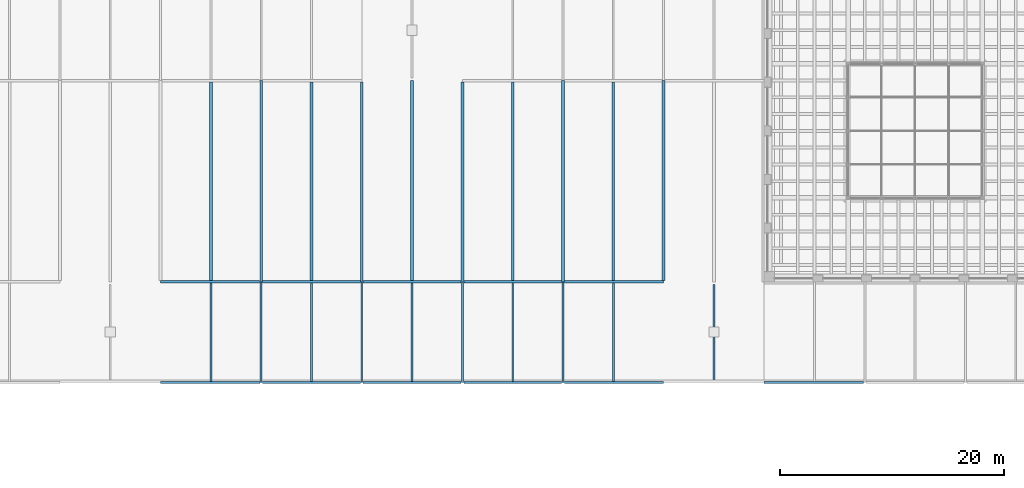
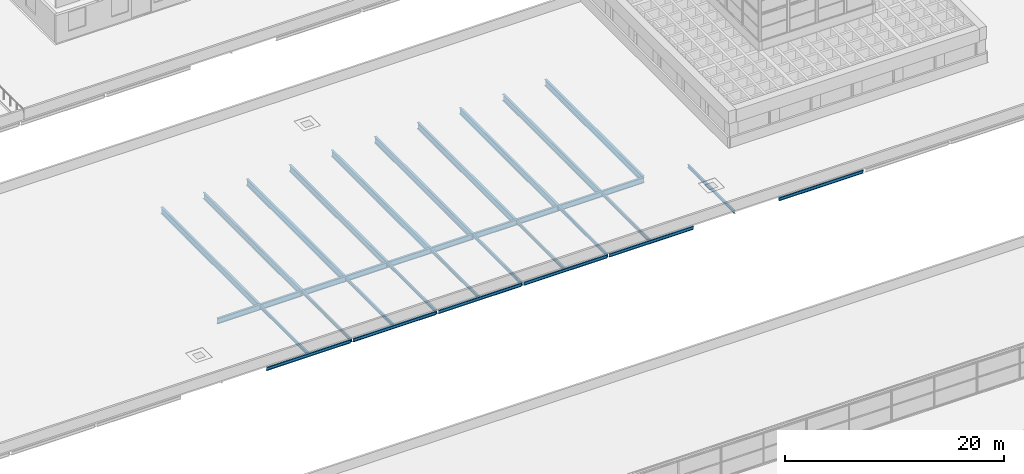
# One storey, part 11 of 50: 31 beams.
"""IFC4 building model written with IfcOpenShell, lengths in metres."""

from ifc_helpers import new_model, si_unit, direction, frame, origin, origin_2d, place, context, subcontext, project, spatial, i_section, extrude, material, material_profile, profile_set, type_object, element, save


model = new_model("IFC4")

# Units and contexts
model_context = context("Model", 3, precision=1e-05, world=origin(), true_north=direction((0.0, 1.0)))
body_context = subcontext(model_context, "Body", "Model", "MODEL_VIEW")
ifc_project = project(units=[si_unit("LENGTHUNIT", "METRE"), si_unit("AREAUNIT", "SQUARE_METRE"), si_unit("VOLUMEUNIT", "CUBIC_METRE"), si_unit("PLANEANGLEUNIT", "RADIAN"), si_unit("MASSUNIT", "GRAM", prefix="KILO")], contexts=[model_context])

# Site, building, storey
site_placement = place(None, origin())
site = spatial("IfcSite", under=ifc_project, at=site_placement, CompositionType="ELEMENT")
building_placement = place(site_placement, origin())
building = spatial("IfcBuilding", under=site, at=building_placement, Name="Corbel Yard City Hall", CompositionType="ELEMENT")
storey_placement = place(building_placement, frame((0.0, 0.0, 15.0)))
storey = spatial("IfcBuildingStorey", under=building, at=storey_placement, Name="L03", CompositionType="ELEMENT", Elevation=15.0)

# Beams
ifc_material_1 = material(Name="Steel Grade 300 (300 MPa yield)", Category="steel")
ifc_material_profile_1 = material_profile(ifc_material_1, i_section(OverallWidth=0.1708984375, OverallDepth=0.35205078125, WebThickness=0.0068359375, FlangeThickness=0.009765625, at=origin_2d()), Name="360UB44.7")
ifc_profile_set_1 = profile_set([ifc_material_profile_1], Name="Steel Grade 300 (300 MPa yield)")
beam_type_1 = type_object("IfcBeamType", Name="Beam 360UB44.7", PredefinedType="BEAM", material=ifc_profile_set_1)
for number, where, z_axis, x_axis, name in (
    (1, (72.0, 45.00439453125, -0.325927734375), (0.0, 1.0, 0.0), (-1.0, 0.0, 0.0), "Beam 360UB44.7 SB13 L03roof"),
    (2, (81.0, 45.00439453125, -0.325927734375), (0.0, 1.0, 0.0), (-1.0, 0.0, 0.0), "Beam 360UB44.7 SB13 L03roof"),
    (3, (90.0, 45.00439453125, -0.325927734375), (0.0, 1.0, 0.0), (-1.0, 0.0, 0.0), "Beam 360UB44.7 SB13 L03roof"),
    (4, (99.0, 45.00439453125, -0.325927734375), (0.0, 1.0, 0.0), (-1.0, 0.0, 0.0), "Beam 360UB44.7 SB13 L03roof"),
):
    element("IfcBeam", number, at=place(storey_placement, frame(where, z_axis=z_axis, x_axis=x_axis)), inside=storey, type_object=beam_type_1, Name=name, PredefinedType="BEAM", context=body_context, shape_type="SweptSolid", body=[
        extrude(i_section(OverallWidth=0.1708984375, OverallDepth=0.35205078125, WebThickness=0.0068359375, FlangeThickness=0.009765625, at=origin_2d()), origin(), (0.0, 0.0, 1.0), 8.990234375),
    ])
ifc_material_profile_2 = material_profile(ifc_material_1, i_section(OverallWidth=0.172119140625, OverallDepth=0.35888671875, WebThickness=0.008056640625, FlangeThickness=0.012939453125, at=origin_2d()), Name="360UB56.7")
ifc_profile_set_2 = profile_set([ifc_material_profile_2], Name="Steel Grade 300 (300 MPa yield)")
beam_type_2 = type_object("IfcBeamType", Name="Edge beam 360UB56.7", PredefinedType="BEAM", material=ifc_profile_set_2)
beam_1_placement = place(storey_placement, frame((63.0, 45.0, -0.32958984375), z_axis=(1.0, 0.0, 0.0), x_axis=(0.0, 1.0, 0.0)))
element("IfcBeam", 5, at=beam_1_placement, inside=storey, type_object=beam_type_2, Name="Edge beam 360UB56.7 EB4 L03roof", PredefinedType="BEAM", context=body_context, shape_type="SweptSolid", body=[
    extrude(i_section(OverallWidth=0.172119140625, OverallDepth=0.35888671875, WebThickness=0.008056640625, FlangeThickness=0.012939453125, at=origin_2d()), origin(), (0.0, 0.0, 1.0), 8.873046875),
])
for number, where, z_axis, x_axis, name in (
    (6, (72.126953125, 45.0, -0.32958984375), (1.0, 0.0, 0.0), (0.0, 1.0, 0.0), "Edge beam 360UB56.7 EB4 L03roof"),
    (7, (81.126953125, 45.0, -0.32958984375), (1.0, 0.0, 0.0), (0.0, 1.0, 0.0), "Edge beam 360UB56.7 EB4 L03roof"),
    (8, (90.126953125, 45.0, -0.32958984375), (1.0, 0.0, 0.0), (0.0, 1.0, 0.0), "Edge beam 360UB56.7 EB4 L03roof"),
):
    element("IfcBeam", number, at=place(storey_placement, frame(where, z_axis=z_axis, x_axis=x_axis)), inside=storey, type_object=beam_type_2, Name=name, PredefinedType="BEAM", context=body_context, shape_type="SweptSolid", body=[
        extrude(i_section(OverallWidth=0.172119140625, OverallDepth=0.35888671875, WebThickness=0.008056640625, FlangeThickness=0.012939453125, at=origin_2d()), origin(), (0.0, 0.0, 1.0), 8.74609375),
    ])
for number, where, z_axis, x_axis, name in (
    (9, (99.126953125, 45.0, -0.32958984375), (1.0, 0.0, 0.0), (0.0, 1.0, 0.0), "Edge beam 360UB56.7 EB4 L03roof"),
    (10, (117.0, 45.0, -0.32958984375), (1.0, 0.0, 0.0), (0.0, 1.0, 0.0), "Edge beam 360UB56.7 EB4 L03roof"),
):
    element("IfcBeam", number, at=place(storey_placement, frame(where, z_axis=z_axis, x_axis=x_axis)), inside=storey, type_object=beam_type_2, Name=name, PredefinedType="BEAM", context=body_context, shape_type="SweptSolid", body=[
        extrude(i_section(OverallWidth=0.172119140625, OverallDepth=0.35888671875, WebThickness=0.008056640625, FlangeThickness=0.012939453125, at=origin_2d()), origin(), (0.0, 0.0, 1.0), 8.873046875),
    ])
ifc_material_profile_3 = material_profile(ifc_material_1, i_section(OverallWidth=0.22900390625, OverallDepth=0.612060546875, WebThickness=0.011962890625, FlangeThickness=0.01953125, at=origin_2d()), Name="610UB125")
ifc_profile_set_3 = profile_set([ifc_material_profile_3], Name="Steel Grade 300 (300 MPa yield)")
beam_type_3 = type_object("IfcBeamType", Name="Girder 610UB125", PredefinedType="BEAM", material=ifc_profile_set_3)
beam_2_placement = place(storey_placement, frame((63.0, 54.0, -0.4560546875), z_axis=(1.0, 0.0, 0.0), x_axis=(0.0, 1.0, 0.0)))
element("IfcBeam", 11, at=beam_2_placement, inside=storey, type_object=beam_type_3, Name="Girder 610UB125 GB1 L03roof", PredefinedType="BEAM", context=body_context, shape_type="SweptSolid", body=[
    extrude(i_section(OverallWidth=0.22900390625, OverallDepth=0.612060546875, WebThickness=0.011962890625, FlangeThickness=0.01953125, at=origin_2d()), origin(), (0.0, 0.0, 1.0), 8.8701171875),
])
for number, where, z_axis, x_axis, name in (
    (12, (72.1298828125, 54.0, -0.4560546875), (1.0, 0.0, 0.0), (0.0, 1.0, 0.0), "Girder 610UB125 GB1 L03roof"),
    (13, (81.1298828125, 54.0, -0.4560546875), (1.0, 0.0, 0.0), (0.0, 1.0, 0.0), "Girder 610UB125 GB1 L03roof"),
    (14, (90.1298828125, 54.0, -0.4560546875), (1.0, 0.0, 0.0), (0.0, 1.0, 0.0), "Girder 610UB125 GB1 L03roof"),
):
    element("IfcBeam", number, at=place(storey_placement, frame(where, z_axis=z_axis, x_axis=x_axis)), inside=storey, type_object=beam_type_3, Name=name, PredefinedType="BEAM", context=body_context, shape_type="SweptSolid", body=[
        extrude(i_section(OverallWidth=0.22900390625, OverallDepth=0.612060546875, WebThickness=0.011962890625, FlangeThickness=0.01953125, at=origin_2d()), origin(), (0.0, 0.0, 1.0), 8.740234375),
    ])
beam_3_placement = place(storey_placement, frame((99.1298828125, 54.0, -0.4560546875), z_axis=(1.0, 0.0, 0.0), x_axis=(0.0, 1.0, 0.0)))
element("IfcBeam", 15, at=beam_3_placement, inside=storey, type_object=beam_type_3, Name="Girder 610UB125 GB1 L03roof", PredefinedType="BEAM", context=body_context, shape_type="SweptSolid", body=[
    extrude(i_section(OverallWidth=0.22900390625, OverallDepth=0.612060546875, WebThickness=0.011962890625, FlangeThickness=0.01953125, at=origin_2d()), origin(), (0.0, 0.0, 1.0), 8.8701171875),
])
ifc_material_2 = material(Name="Steel Grade 350", Category="steel")
ifc_material_profile_4 = material_profile(ifc_material_2, i_section(OverallWidth=0.25, OverallDepth=0.699951171875, WebThickness=0.010009765625, FlangeThickness=0.02001953125, at=origin_2d()), Name="700WB130")
ifc_profile_set_4 = profile_set([ifc_material_profile_4], Name="Steel Grade 350")
beam_type_4 = type_object("IfcBeamType", Name="Long-span beam 700WB130", PredefinedType="BEAM", material=ifc_profile_set_4)
beam_4_placement = place(storey_placement, frame((72.0, 54.00537109375, -0.5), z_axis=(0.0, 1.0, 0.0), x_axis=(-1.0, 0.0, 0.0)))
element("IfcBeam", 16, at=beam_4_placement, inside=storey, type_object=beam_type_4, Name="Long-span beam 700WB130 SB18 L03roof", PredefinedType="BEAM", context=body_context, shape_type="SweptSolid", body=[
    extrude(i_section(OverallWidth=0.25, OverallDepth=0.699951171875, WebThickness=0.010009765625, FlangeThickness=0.02001953125, at=origin_2d()), origin(), (0.0, 0.0, 1.0), 17.9892578125),
])
for number, where, z_axis, x_axis, name in (
    (17, (81.0, 54.00537109375, -0.5), (0.0, 1.0, 0.0), (-1.0, 0.0, 0.0), "Long-span beam 700WB130 SB18 L03roof"),
    (18, (90.0, 54.00537109375, -0.5), (0.0, 1.0, 0.0), (-1.0, 0.0, 0.0), "Long-span beam 700WB130 SB18 L03roof"),
):
    element("IfcBeam", number, at=place(storey_placement, frame(where, z_axis=z_axis, x_axis=x_axis)), inside=storey, type_object=beam_type_4, Name=name, PredefinedType="BEAM", context=body_context, shape_type="SweptSolid", body=[
        extrude(i_section(OverallWidth=0.25, OverallDepth=0.699951171875, WebThickness=0.010009765625, FlangeThickness=0.02001953125, at=origin_2d()), origin(), (0.0, 0.0, 1.0), 17.880126953125),
    ])
beam_5_placement = place(storey_placement, frame((99.0, 54.00537109375, -0.5), z_axis=(0.0, 1.0, 0.0), x_axis=(-1.0, 0.0, 0.0)))
element("IfcBeam", 19, at=beam_5_placement, inside=storey, type_object=beam_type_4, Name="Long-span beam 700WB130 SB18 L03roof", PredefinedType="BEAM", context=body_context, shape_type="SweptSolid", body=[
    extrude(i_section(OverallWidth=0.25, OverallDepth=0.699951171875, WebThickness=0.010009765625, FlangeThickness=0.02001953125, at=origin_2d()), origin(), (0.0, 0.0, 1.0), 17.9892578125),
])
beam_6_placement = place(storey_placement, frame((108.0, 54.114501953125, -0.5), z_axis=(0.0, 1.0, 0.0), x_axis=(-1.0, 0.0, 0.0)))
element("IfcBeam", 20, at=beam_6_placement, inside=storey, type_object=beam_type_4, Name="Long-span beam 700WB130 SB18 L03roof", PredefinedType="BEAM", context=body_context, shape_type="SweptSolid", body=[
    extrude(i_section(OverallWidth=0.25, OverallDepth=0.699951171875, WebThickness=0.010009765625, FlangeThickness=0.02001953125, at=origin_2d()), origin(), (0.0, 0.0, 1.0), 17.880126953125),
])
ifc_material_profile_5 = material_profile(ifc_material_2, i_section(OverallWidth=0.25, OverallDepth=0.699951171875, WebThickness=0.010009765625, FlangeThickness=0.02001953125, at=origin_2d()), Name="700WB130")
ifc_profile_set_5 = profile_set([ifc_material_profile_5], Name="Steel Grade 350")
beam_type_5 = type_object("IfcBeamType", Name="Long-span secondary beam 700WB130", PredefinedType="JOIST", material=ifc_profile_set_5)
for number, where, z_axis, x_axis, name in (
    (21, (67.5, 54.114501953125, -0.5), (0.0, 1.0, 0.0), (-1.0, 0.0, 0.0), "Long-span secondary beam 700WB130 SB16 L03roof"),
    (22, (76.5, 54.114501953125, -0.5), (0.0, 1.0, 0.0), (-1.0, 0.0, 0.0), "Long-span secondary beam 700WB130 SB16 L03roof"),
):
    element("IfcBeam", number, at=place(storey_placement, frame(where, z_axis=z_axis, x_axis=x_axis)), inside=storey, type_object=beam_type_5, Name=name, PredefinedType="JOIST", context=body_context, shape_type="SweptSolid", body=[
        extrude(i_section(OverallWidth=0.25, OverallDepth=0.699951171875, WebThickness=0.010009765625, FlangeThickness=0.02001953125, at=origin_2d()), origin(), (0.0, 0.0, 1.0), 17.77099609375),
    ])
beam_7_placement = place(storey_placement, frame((85.5, 54.114501953125, -0.5), z_axis=(0.0, 1.0, 0.0), x_axis=(-1.0, 0.0, 0.0)))
element("IfcBeam", 23, at=beam_7_placement, inside=storey, type_object=beam_type_5, Name="Long-span secondary beam 700WB130 SB16 L03roof", PredefinedType="JOIST", context=body_context, shape_type="SweptSolid", body=[
    extrude(i_section(OverallWidth=0.25, OverallDepth=0.699951171875, WebThickness=0.010009765625, FlangeThickness=0.02001953125, at=origin_2d()), origin(), (0.0, 0.0, 1.0), 17.885498046875),
])
for number, where, z_axis, x_axis, name in (
    (24, (94.5, 54.114501953125, -0.5), (0.0, 1.0, 0.0), (-1.0, 0.0, 0.0), "Long-span secondary beam 700WB130 SB16 L03roof"),
    (25, (103.5, 54.114501953125, -0.5), (0.0, 1.0, 0.0), (-1.0, 0.0, 0.0), "Long-span secondary beam 700WB130 SB16 L03roof"),
):
    element("IfcBeam", number, at=place(storey_placement, frame(where, z_axis=z_axis, x_axis=x_axis)), inside=storey, type_object=beam_type_5, Name=name, PredefinedType="JOIST", context=body_context, shape_type="SweptSolid", body=[
        extrude(i_section(OverallWidth=0.25, OverallDepth=0.699951171875, WebThickness=0.010009765625, FlangeThickness=0.02001953125, at=origin_2d()), origin(), (0.0, 0.0, 1.0), 17.77099609375),
    ])
ifc_material_profile_6 = material_profile(ifc_material_1, i_section(OverallWidth=0.1708984375, OverallDepth=0.35205078125, WebThickness=0.0068359375, FlangeThickness=0.009765625, at=origin_2d()), Name="360UB44.7")
ifc_profile_set_6 = profile_set([ifc_material_profile_6], Name="Steel Grade 300 (300 MPa yield)")
beam_type_6 = type_object("IfcBeamType", Name="Secondary beam 360UB44.7", PredefinedType="JOIST", material=ifc_profile_set_6)
for number, where, z_axis, x_axis, name in (
    (26, (67.5, 45.0859375, -0.325927734375), (0.0, 1.0, 0.0), (-1.0, 0.0, 0.0), "Secondary beam 360UB44.7 SB11 L03roof"),
    (27, (76.5, 45.0859375, -0.325927734375), (0.0, 1.0, 0.0), (-1.0, 0.0, 0.0), "Secondary beam 360UB44.7 SB11 L03roof"),
    (28, (85.5, 45.0859375, -0.325927734375), (0.0, 1.0, 0.0), (-1.0, 0.0, 0.0), "Secondary beam 360UB44.7 SB11 L03roof"),
    (29, (94.5, 45.0859375, -0.325927734375), (0.0, 1.0, 0.0), (-1.0, 0.0, 0.0), "Secondary beam 360UB44.7 SB11 L03roof"),
    (30, (103.5, 45.0859375, -0.325927734375), (0.0, 1.0, 0.0), (-1.0, 0.0, 0.0), "Secondary beam 360UB44.7 SB11 L03roof"),
):
    element("IfcBeam", number, at=place(storey_placement, frame(where, z_axis=z_axis, x_axis=x_axis)), inside=storey, type_object=beam_type_6, Name=name, PredefinedType="JOIST", context=body_context, shape_type="SweptSolid", body=[
        extrude(i_section(OverallWidth=0.1708984375, OverallDepth=0.35205078125, WebThickness=0.0068359375, FlangeThickness=0.009765625, at=origin_2d()), origin(), (0.0, 0.0, 1.0), 8.799560546875),
    ])
beam_8_placement = place(storey_placement, frame((112.5, 45.25, -0.325927734375), z_axis=(0.0, 1.0, 0.0), x_axis=(-1.0, 0.0, 0.0)))
element("IfcBeam", 31, at=beam_8_placement, inside=storey, type_object=beam_type_6, Name="Core roof beam 360UB44.7 SB11 PC-M3", PredefinedType="JOIST", context=body_context, shape_type="SweptSolid", body=[
    extrude(i_section(OverallWidth=0.1708984375, OverallDepth=0.35205078125, WebThickness=0.0068359375, FlangeThickness=0.009765625, at=origin_2d()), origin(), (0.0, 0.0, 1.0), 8.5),
])

save(model, "model.ifc")
